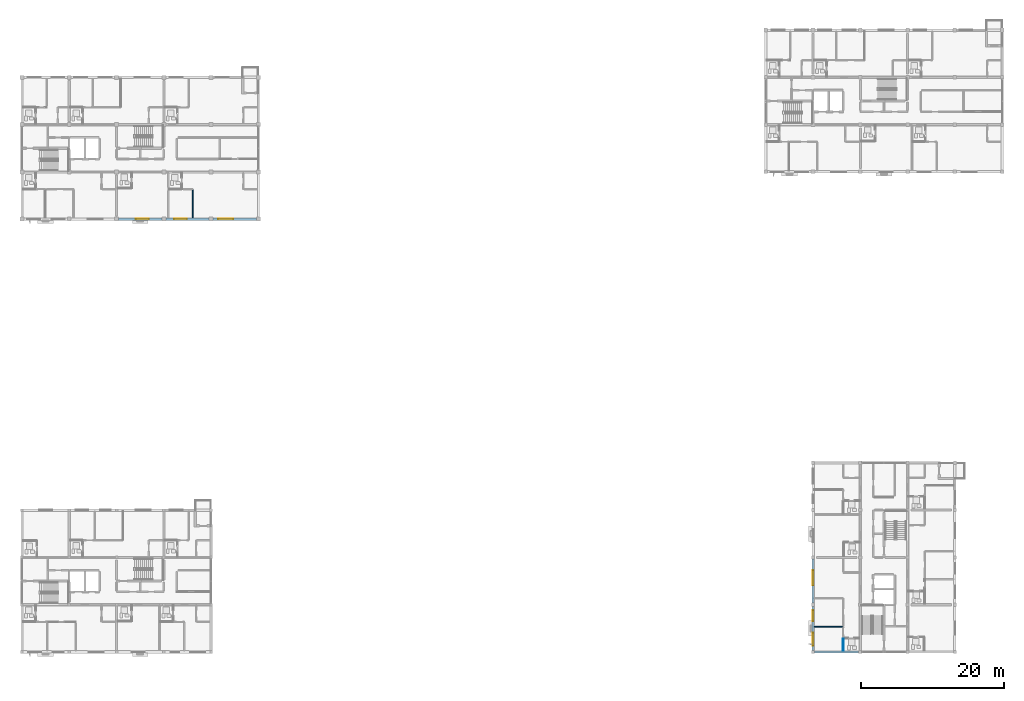
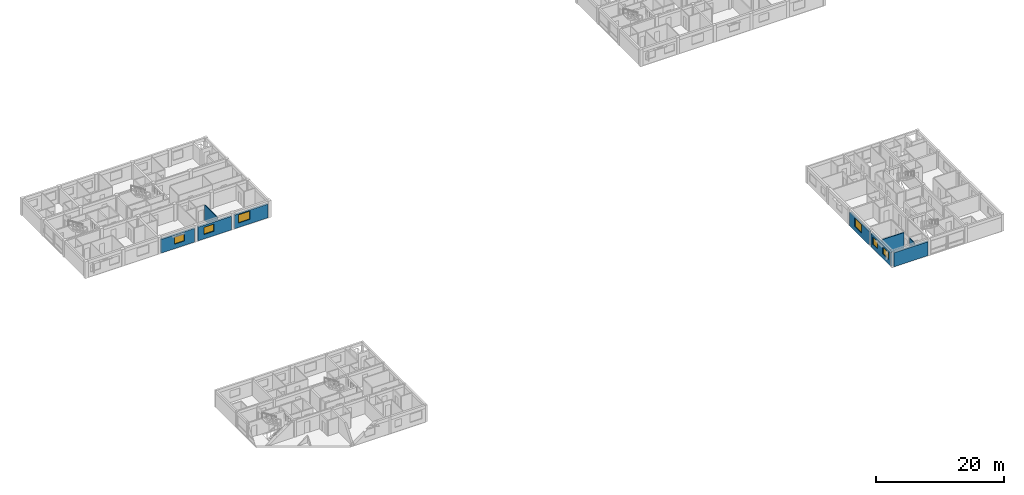
# One storey, part 30 of 53: 9 walls, 6 windows, 6 openings.
"""IFC4 building model written with IfcOpenShell, lengths in metres."""

from ifc_helpers import new_model, si_unit, direction, frame, frame_2d, origin, place, context, subcontext, project, spatial, rectangle, extrude, material, layer, layer_set, type_object, element, fill, save


model = new_model("IFC4")

# Units and contexts
model_context = context("Model", 3, precision=1e-05, world=origin(), true_north=direction((0.0, 1.0)))
body_context = subcontext(model_context, "Body", "Model", "MODEL_VIEW")
ifc_project = project(units=[si_unit("LENGTHUNIT", "METRE"), si_unit("AREAUNIT", "SQUARE_METRE"), si_unit("VOLUMEUNIT", "CUBIC_METRE"), si_unit("PLANEANGLEUNIT", "RADIAN"), si_unit("MASSUNIT", "GRAM", prefix="KILO")], contexts=[model_context])

# Site, building, storey
site_placement = place(None, origin())
site = spatial("IfcSite", under=ifc_project, at=site_placement, CompositionType="ELEMENT")
building_placement = place(site_placement, origin())
building = spatial("IfcBuilding", under=site, at=building_placement, Name="Kernevlak Ridge Housing Community", CompositionType="ELEMENT")
storey_placement = place(building_placement, frame((0.0, 0.0, 24.39990234375)))
storey = spatial("IfcBuildingStorey", under=building, at=storey_placement, Name="L07", CompositionType="ELEMENT", Elevation=24.39990234375)

# Wall, opening, window
ifc_material_1 = material(Name="Concrete block masonry M10", Category="masonry")
ifc_layer_1 = layer(ifc_material_1, 0.320068359375, Name="Concrete block masonry M10")
ifc_layer_set_1 = layer_set([ifc_layer_1], Name="Concrete block masonry M10")
wall_type_1 = type_object("IfcWallType", Name="EW-02", PredefinedType="STANDARD", material=ifc_layer_set_1)
wall_1_placement = place(storey_placement, frame((29.074951171875, 76.0, 0.0), z_axis=(0.0, 0.0, 1.0), x_axis=(1.0, 0.0, 0.0)))
wall_1 = element("IfcWall", 1, at=wall_1_placement, inside=storey, type_object=wall_type_1, Name="Exterior wall EW-02 L07 111", PredefinedType="STANDARD", context=body_context, shape_type="SweptSolid", body=[
    extrude(rectangle(XDim=6.050048828125, YDim=0.320068359375, at=frame_2d((3.02490234375, 0.0))), origin(), (0.0, 0.0, 1.0), 2.60009765625),
])
opening_1_placement = place(wall_1_placement, frame((2.425048828125, 0.0, 0.85009765625)))
opening_1 = element("IfcOpeningElement", 2, at=opening_1_placement, cuts=wall_1, Name="Opening WT-03", PredefinedType="OPENING", context=body_context, shape_type="SweptSolid", body=[
    extrude(rectangle(XDim=1.800048828125, YDim=1.35009765625, at=frame_2d((0.89990234375, 0.675048828125))), frame((0.0, 0.169921875, 0.0), z_axis=(0.0, -1.0, 0.0), x_axis=(1.0, 0.0, 0.0)), (0.0, 0.0, 1.0), 0.340087890625),
])
ifc_material_2 = material(Name="Aluminium EN AW-6060 anodised and laminated glass", Category="aluminium")
window_type_1 = type_object("IfcWindowType", Name="WT-03", PartitioningType="SINGLE_PANEL", PredefinedType="WINDOW", material=ifc_material_2)
window_1_placement = place(opening_1_placement, origin())
window_1 = element("IfcWindow", 3, at=window_1_placement, inside=storey, type_object=window_type_1, Name="Window WT-03 L07 86", OverallHeight=1.35009765625, OverallWidth=1.800048828125, PartitioningType="SINGLE_PANEL", PredefinedType="WINDOW", context=body_context, shape_type="SweptSolid", body=[
    extrude(rectangle(XDim=1.800048828125, YDim=1.35009765625, at=frame_2d((0.89990234375, 0.675048828125))), frame((0.0, 0.030029296875, 0.0), z_axis=(0.0, -1.0, 0.0), x_axis=(1.0, 0.0, 0.0)), (0.0, 0.0, 1.0), 0.06005859375),
])
fill(opening_1, window_1)

wall_2_placement = place(storey_placement, frame((35.675048828125, 76.0, 0.0), z_axis=(0.0, 0.0, 1.0), x_axis=(1.0, 0.0, 0.0)))
wall_2 = element("IfcWall", 4, at=wall_2_placement, inside=storey, type_object=wall_type_1, Name="Exterior wall EW-02 L07 112", PredefinedType="STANDARD", context=body_context, shape_type="SweptSolid", body=[
    extrude(rectangle(XDim=6.050048828125, YDim=0.320068359375, at=frame_2d((3.02490234375, 0.0))), origin(), (0.0, 0.0, 1.0), 2.60009765625),
])
opening_2_placement = place(wall_2_placement, frame((1.14990234375, 0.0, 0.85009765625)))
opening_2 = element("IfcOpeningElement", 5, at=opening_2_placement, cuts=wall_2, Name="Opening WT-03", PredefinedType="OPENING", context=body_context, shape_type="SweptSolid", body=[
    extrude(rectangle(XDim=1.800048828125, YDim=1.35009765625, at=frame_2d((0.89990234375, 0.675048828125))), frame((0.0, 0.169921875, 0.0), z_axis=(0.0, -1.0, 0.0), x_axis=(1.0, 0.0, 0.0)), (0.0, 0.0, 1.0), 0.340087890625),
])
window_2_placement = place(opening_2_placement, origin())
window_2 = element("IfcWindow", 6, at=window_2_placement, inside=storey, type_object=window_type_1, Name="Window WT-03 L07 87", OverallHeight=1.35009765625, OverallWidth=1.800048828125, PartitioningType="SINGLE_PANEL", PredefinedType="WINDOW", context=body_context, shape_type="SweptSolid", body=[
    extrude(rectangle(XDim=1.800048828125, YDim=1.35009765625, at=frame_2d((0.89990234375, 0.675048828125))), frame((0.0, 0.030029296875, 0.0), z_axis=(0.0, -1.0, 0.0), x_axis=(1.0, 0.0, 0.0)), (0.0, 0.0, 1.0), 0.06005859375),
])
fill(opening_2, window_2)

wall_3_placement = place(storey_placement, frame((42.27490234375, 76.0, 0.0), z_axis=(0.0, 0.0, 1.0), x_axis=(1.0, 0.0, 0.0)))
wall_3 = element("IfcWall", 7, at=wall_3_placement, inside=storey, type_object=wall_type_1, Name="Exterior wall EW-02 L07 113", PredefinedType="STANDARD", context=body_context, shape_type="SweptSolid", body=[
    extrude(rectangle(XDim=6.050048828125, YDim=0.320068359375, at=frame_2d((3.02490234375, 0.0))), origin(), (0.0, 0.0, 1.0), 2.60009765625),
])
opening_3_placement = place(wall_3_placement, frame((0.699951171875, 0.0, 0.85009765625)))
opening_3 = element("IfcOpeningElement", 8, at=opening_3_placement, cuts=wall_3, Name="Opening WT-05", PredefinedType="OPENING", context=body_context, shape_type="SweptSolid", body=[
    extrude(rectangle(XDim=2.10009765625, YDim=1.550048828125, at=frame_2d((1.050048828125, 0.77490234375))), frame((0.0, 0.169921875, 0.0), z_axis=(0.0, -1.0, 0.0), x_axis=(1.0, 0.0, 0.0)), (0.0, 0.0, 1.0), 0.340087890625),
])
window_type_2 = type_object("IfcWindowType", Name="WT-05", PartitioningType="SINGLE_PANEL", PredefinedType="WINDOW", material=ifc_material_2)
window_3_placement = place(opening_3_placement, origin())
window_3 = element("IfcWindow", 9, at=window_3_placement, inside=storey, type_object=window_type_2, Name="Window WT-05 L07 88", OverallHeight=1.550048828125, OverallWidth=2.10009765625, PartitioningType="SINGLE_PANEL", PredefinedType="WINDOW", context=body_context, shape_type="SweptSolid", body=[
    extrude(rectangle(XDim=2.10009765625, YDim=1.550048828125, at=frame_2d((1.050048828125, 0.77490234375))), frame((0.0, 0.030029296875, 0.0), z_axis=(0.0, -1.0, 0.0), x_axis=(1.0, 0.0, 0.0)), (0.0, 0.0, 1.0), 0.06005859375),
])
fill(opening_3, window_3)

# Wall, openings, windows
wall_4_placement = place(storey_placement, frame((126.0, 15.824951171875, 0.0), z_axis=(0.0, 0.0, 1.0), x_axis=(0.0, 1.0, 0.0)))
wall_4 = element("IfcWall", 10, at=wall_4_placement, inside=storey, type_object=wall_type_1, Name="Exterior wall EW-02 L07 628", PredefinedType="STANDARD", context=body_context, shape_type="SweptSolid", body=[
    extrude(rectangle(XDim=6.150146484375, YDim=0.320068359375, at=frame_2d((3.0751953125, 0.0))), origin(), (0.0, 0.0, 1.0), 2.60009765625),
])
opening_4_placement = place(wall_4_placement, frame((0.64990234375, 0.0, 0.85009765625)))
opening_4 = element("IfcOpeningElement", 11, at=opening_4_placement, cuts=wall_4, Name="Opening WT-03", PredefinedType="OPENING", context=body_context, shape_type="SweptSolid", body=[
    extrude(rectangle(XDim=1.800048828125, YDim=1.35009765625, at=frame_2d((0.89990234375, 0.675048828125))), frame((0.0, 0.169921875, 0.0), z_axis=(0.0, -1.0, 0.0), x_axis=(1.0, 0.0, 0.0)), (0.0, 0.0, 1.0), 0.340087890625),
])
opening_5_placement = place(wall_4_placement, frame((4.074951171875, 0.0, 0.85009765625)))
opening_5 = element("IfcOpeningElement", 12, at=opening_5_placement, cuts=wall_4, Name="Opening WT-02", PredefinedType="OPENING", context=body_context, shape_type="SweptSolid", body=[
    extrude(rectangle(XDim=1.5, YDim=1.35009765625, at=frame_2d((0.75, 0.675048828125))), frame((0.0, 0.169921875, 0.0), z_axis=(0.0, -1.0, 0.0), x_axis=(1.0, 0.0, 0.0)), (0.0, 0.0, 1.0), 0.340087890625),
])
window_type_3 = type_object("IfcWindowType", Name="WT-02", PartitioningType="SINGLE_PANEL", PredefinedType="WINDOW", material=ifc_material_2)
window_4_placement = place(opening_5_placement, origin())
window_4 = element("IfcWindow", 13, at=window_4_placement, inside=storey, type_object=window_type_3, Name="Window WT-02 L07 510", OverallHeight=1.35009765625, OverallWidth=1.5, PartitioningType="SINGLE_PANEL", PredefinedType="WINDOW", context=body_context, shape_type="SweptSolid", body=[
    extrude(rectangle(XDim=1.5, YDim=1.35009765625, at=frame_2d((0.75, 0.675048828125))), frame((0.0, 0.030029296875, 0.0), z_axis=(0.0, -1.0, 0.0), x_axis=(1.0, 0.0, 0.0)), (0.0, 0.0, 1.0), 0.06005859375),
])
fill(opening_5, window_4)
window_5_placement = place(opening_4_placement, origin())
window_5 = element("IfcWindow", 14, at=window_5_placement, inside=storey, type_object=window_type_1, Name="Window WT-03 L07 509", OverallHeight=1.35009765625, OverallWidth=1.800048828125, PartitioningType="SINGLE_PANEL", PredefinedType="WINDOW", context=body_context, shape_type="SweptSolid", body=[
    extrude(rectangle(XDim=1.800048828125, YDim=1.35009765625, at=frame_2d((0.89990234375, 0.675048828125))), frame((0.0, 0.030029296875, 0.0), z_axis=(0.0, -1.0, 0.0), x_axis=(1.0, 0.0, 0.0)), (0.0, 0.0, 1.0), 0.06005859375),
])
fill(opening_4, window_5)

# Wall, opening, window
wall_5_placement = place(storey_placement, frame((126.0, 22.425048828125, 0.0), z_axis=(0.0, 0.0, 1.0), x_axis=(0.0, 1.0, 0.0)))
wall_5 = element("IfcWall", 15, at=wall_5_placement, inside=storey, type_object=wall_type_1, Name="Exterior wall EW-02 L07 629", PredefinedType="STANDARD", context=body_context, shape_type="SweptSolid", body=[
    extrude(rectangle(XDim=6.14990234375, YDim=0.320068359375, at=frame_2d((3.074951171875, 0.0))), origin(), (0.0, 0.0, 1.0), 2.60009765625),
])
opening_6_placement = place(wall_5_placement, frame((2.470947265625, 0.0, 0.85009765625)))
opening_6 = element("IfcOpeningElement", 16, at=opening_6_placement, cuts=wall_5, Name="Opening WT-05", PredefinedType="OPENING", context=body_context, shape_type="SweptSolid", body=[
    extrude(rectangle(XDim=2.10009765625, YDim=1.550048828125, at=frame_2d((1.050048828125, 0.77490234375))), frame((0.0, 0.169921875, 0.0), z_axis=(0.0, -1.0, 0.0), x_axis=(1.0, 0.0, 0.0)), (0.0, 0.0, 1.0), 0.340087890625),
])
window_6_placement = place(opening_6_placement, origin())
window_6 = element("IfcWindow", 17, at=window_6_placement, inside=storey, type_object=window_type_2, Name="Window WT-05 L07 511", OverallHeight=1.550048828125, OverallWidth=2.10009765625, PartitioningType="SINGLE_PANEL", PredefinedType="WINDOW", context=body_context, shape_type="SweptSolid", body=[
    extrude(rectangle(XDim=2.10009765625, YDim=1.550048828125, at=frame_2d((1.050048828125, 0.77490234375))), frame((0.0, 0.030029296875, 0.0), z_axis=(0.0, -1.0, 0.0), x_axis=(1.0, 0.0, 0.0)), (0.0, 0.0, 1.0), 0.06005859375),
])
fill(opening_6, window_6)

# Walls
wall_6_placement = place(storey_placement, frame((126.22509765625, 15.60009765625, 0.0), z_axis=(0.0, 0.0, 1.0), x_axis=(1.0, 0.0, 0.0)))
element("IfcWall", 18, at=wall_6_placement, inside=storey, type_object=wall_type_1, Name="Exterior wall EW-02 L07 638", PredefinedType="STANDARD", context=body_context, shape_type="SweptSolid", body=[
    extrude(rectangle(XDim=6.14990234375, YDim=0.320068359375, at=frame_2d((3.074951171875, 0.0))), origin(), (0.0, 0.0, 1.0), 2.650146484375),
])
ifc_layer_2 = layer(ifc_material_1, 0.14501953125, Name="Concrete block masonry M10")
ifc_layer_set_2 = layer_set([ifc_layer_2], Name="Concrete block masonry M10")
wall_type_2 = type_object("IfcWallType", Name="PW-03", PredefinedType="PARTITIONING", material=ifc_layer_set_2)
for number, where, z_axis, x_axis, name in (
    (19, (39.449951171875, 80.117431640625, 0.0), (0.0, 0.0, 1.0), (0.0, -1.0, 0.0), "Interior wall PW-03 WAL-INT-L07-0479"),
    (20, (130.117431640625, 19.14990234375, 0.0), (0.0, 0.0, 1.0), (-1.0, 0.0, 0.0), "Interior wall PW-03 WAL-INT-L07-2573"),
):
    element("IfcWall", number, at=place(storey_placement, frame(where, z_axis=z_axis, x_axis=x_axis)), inside=storey, type_object=wall_type_2, Name=name, PredefinedType="PARTITIONING", context=body_context, shape_type="SweptSolid", body=[
        extrude(rectangle(XDim=3.947509765625, YDim=0.14501953125, at=frame_2d((1.9736328125, 0.0))), origin(), (0.0, 0.0, 1.0), 2.97021484375),
    ])
ifc_material_3 = material(Name="Gypsum plasterboard EN 520", Category="gypsum")
ifc_layer_3 = layer(ifc_material_3, 0.125, Name="Gypsum plasterboard EN 520")
ifc_layer_set_3 = layer_set([ifc_layer_3], Name="Gypsum plasterboard EN 520")
wall_type_3 = type_object("IfcWallType", Name="PW-04", PredefinedType="PARTITIONING", material=ifc_layer_set_3)
wall_7_placement = place(storey_placement, frame((130.199951171875, 15.77001953125, 0.0), z_axis=(0.0, 0.0, 1.0), x_axis=(0.0, 1.0, 0.0)))
element("IfcWall", 21, at=wall_7_placement, inside=storey, type_object=wall_type_3, Name="Interior wall PW-04 WAL-INT-L07-2569", PredefinedType="PARTITIONING", context=body_context, shape_type="SweptSolid", body=[
    extrude(rectangle(XDim=1.64990234375, YDim=0.125, at=frame_2d((0.824951171875, 0.0))), origin(), (0.0, 0.0, 1.0), 2.97021484375),
])

save(model, "model.ifc")
